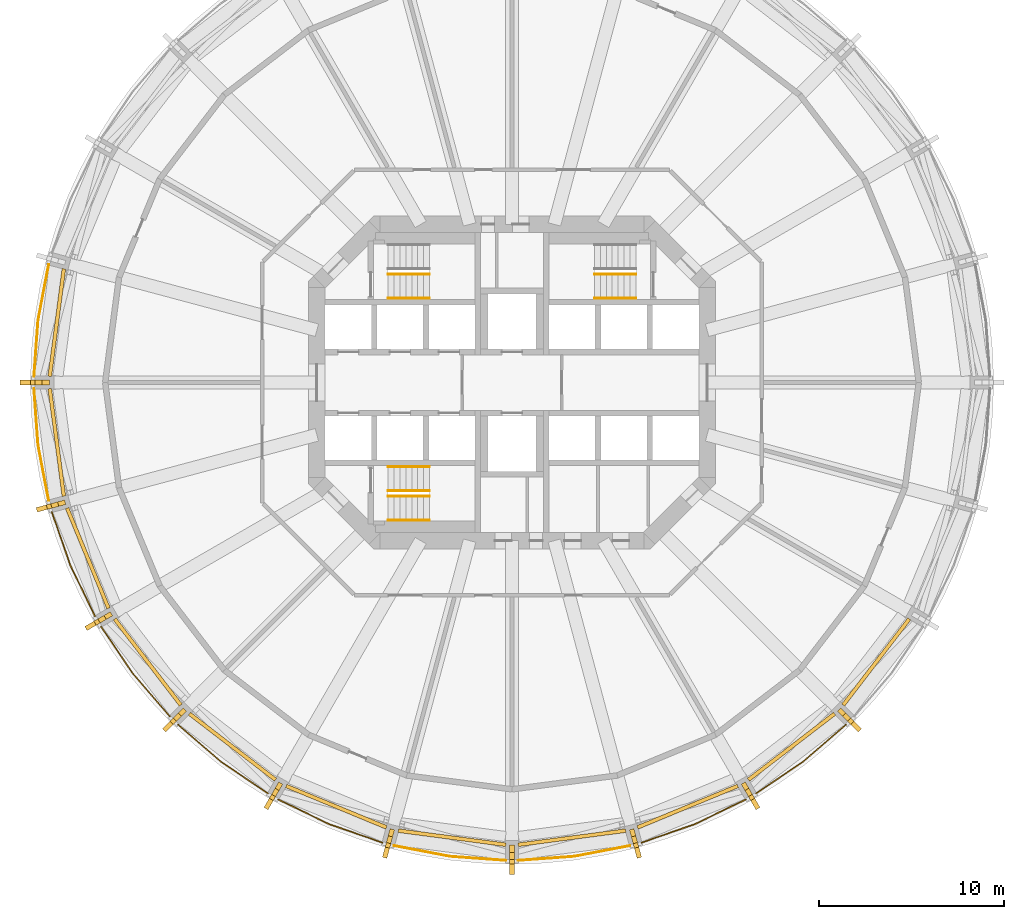
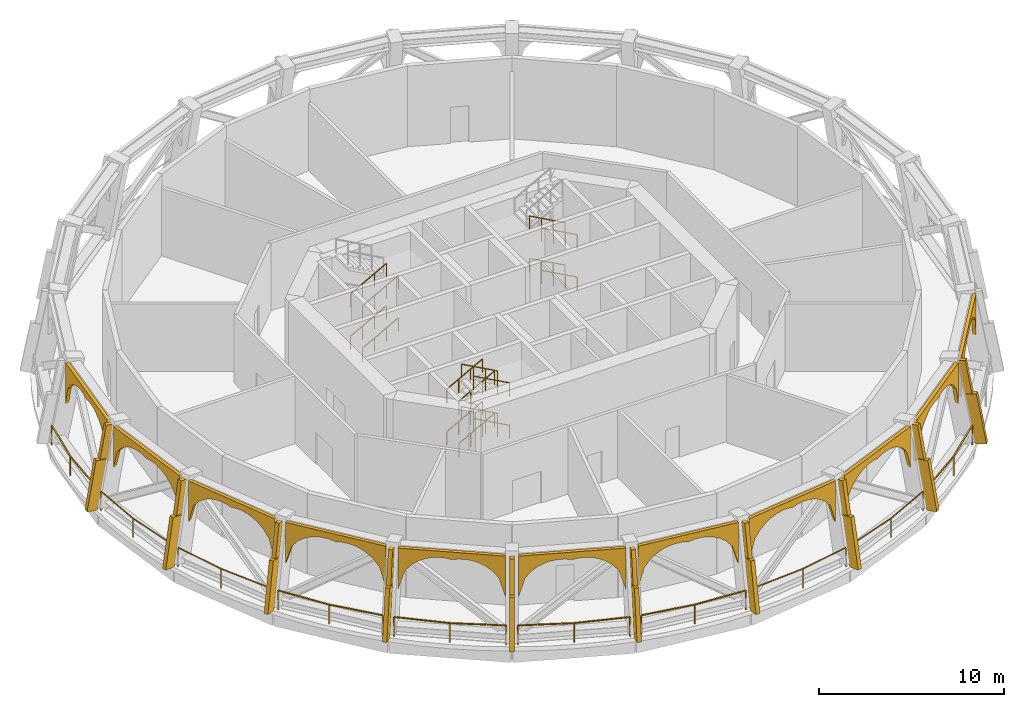
# One storey, part 7 of 9: 31 coverings, 26 railings.
"""IFC4 building model written with IfcOpenShell, lengths in metres."""

from ifc_helpers import new_model, si_unit, direction, frame, origin, origin_2d, place, context, subcontext, project, spatial, polyline, rectangle, outline, extrude, material, layer, layer_set, material_profile, profile_set, type_object, element, save


model = new_model("IFC4")

# Units and contexts
model_context = context("Model", 3, precision=1e-05, world=origin(), true_north=direction((0.0, 1.0)))
body_context = subcontext(model_context, "Body", "Model", "MODEL_VIEW")
ifc_project = project(units=[si_unit("LENGTHUNIT", "METRE"), si_unit("AREAUNIT", "SQUARE_METRE"), si_unit("VOLUMEUNIT", "CUBIC_METRE"), si_unit("PLANEANGLEUNIT", "RADIAN"), si_unit("MASSUNIT", "GRAM", prefix="KILO")], contexts=[model_context])

# Site, building, storey
site_placement = place(None, origin())
site = spatial("IfcSite", under=ifc_project, at=site_placement, CompositionType="ELEMENT")
building_placement = place(site_placement, origin())
building = spatial("IfcBuilding", under=site, at=building_placement, Name="Torre Triforio", CompositionType="ELEMENT")
storey_placement = place(building_placement, frame((0.0, 0.0, 110.60009765625)))
storey = spatial("IfcBuildingStorey", under=building, at=storey_placement, Name="L24", CompositionType="ELEMENT", Elevation=110.60009765625)

# Railings
ifc_material_1 = material(Name="Stainless steel AISI 316", Category="steel")
railing_type_1 = type_object("IfcRailingType", Name="HANDRAIL 920", PredefinedType="HANDRAIL", material=ifc_material_1)
for number, where, name in (
    (1, (-6.699951171875, 4.550048828125, 0.1748046875), "Handrail ST1"),
    (2, (-6.699951171875, 5.85009765625, 0.1748046875), "Handrail ST1"),
    (3, (-6.699951171875, 4.550048828125, 2.974853515625), "Handrail ST1"),
    (4, (-6.699951171875, 5.85009765625, 2.974853515625), "Handrail ST1"),
):
    element("IfcRailing", number, at=place(storey_placement, frame(where)), inside=storey, type_object=railing_type_1, Name=name, PredefinedType="HANDRAIL", context=body_context, shape_type="SweptSolid", body=[
        extrude(rectangle(XDim=0.048095703125, YDim=0.048095703125, at=origin_2d()), frame((0.0, 0.0, 0.89599609375), z_axis=(0.877354156276, 0.0, 0.479843395771), x_axis=(0.0, 1.0, 0.0)), (0.0, 0.0, 1.0), 2.55322265625),
        extrude(rectangle(XDim=0.0419921875, YDim=0.0419921875, at=origin_2d()), origin(), (0.0, 0.0, 1.0), 0.871826171875),
        extrude(rectangle(XDim=0.0419921875, YDim=0.0419921875, at=origin_2d()), frame((0.74658203125, 0.0, 0.408447265625)), (0.0, 0.0, 1.0), 0.871826171875),
        extrude(rectangle(XDim=0.0419921875, YDim=0.0419921875, at=origin_2d()), frame((1.493408203125, 0.0, 0.816650390625)), (0.0, 0.0, 1.0), 0.871826171875),
        extrude(rectangle(XDim=0.0419921875, YDim=0.0419921875, at=origin_2d()), frame((2.239990234375, 0.0, 1.22509765625)), (0.0, 0.0, 1.0), 0.871826171875),
    ])
for number, where, name in (
    (5, (6.699951171875, 4.550048828125, 0.1748046875), "Handrail ST2"),
    (6, (6.699951171875, 5.85009765625, 0.1748046875), "Handrail ST2"),
    (7, (6.699951171875, 4.550048828125, 2.974853515625), "Handrail ST2"),
    (8, (6.699951171875, 5.85009765625, 2.974853515625), "Handrail ST2"),
):
    element("IfcRailing", number, at=place(storey_placement, frame(where)), inside=storey, type_object=railing_type_1, Name=name, PredefinedType="HANDRAIL", context=body_context, shape_type="SweptSolid", body=[
        extrude(rectangle(XDim=0.048095703125, YDim=0.048095703125, at=origin_2d()), frame((0.0, 0.0, 0.89599609375), z_axis=(-0.877354156276, 0.0, 0.479843395771), x_axis=(0.0, -1.0, 0.0)), (0.0, 0.0, 1.0), 2.55322265625),
        extrude(rectangle(XDim=0.0419921875, YDim=0.0419921875, at=origin_2d()), origin(), (0.0, 0.0, 1.0), 0.871826171875),
        extrude(rectangle(XDim=0.0419921875, YDim=0.0419921875, at=origin_2d()), frame((-0.74658203125, 0.0, 0.408447265625)), (0.0, 0.0, 1.0), 0.871826171875),
        extrude(rectangle(XDim=0.0419921875, YDim=0.0419921875, at=origin_2d()), frame((-1.493408203125, 0.0, 0.816650390625)), (0.0, 0.0, 1.0), 0.871826171875),
        extrude(rectangle(XDim=0.0419921875, YDim=0.0419921875, at=origin_2d()), frame((-2.239990234375, 0.0, 1.22509765625)), (0.0, 0.0, 1.0), 0.871826171875),
    ])
for number, where, name in (
    (9, (-6.699951171875, -4.550048828125, 0.1748046875), "Handrail ST3"),
    (10, (-6.699951171875, -5.85009765625, 0.1748046875), "Handrail ST3"),
):
    element("IfcRailing", number, at=place(storey_placement, frame(where)), inside=storey, type_object=railing_type_1, Name=name, PredefinedType="HANDRAIL", context=body_context, shape_type="SweptSolid", body=[
        extrude(rectangle(XDim=0.048095703125, YDim=0.048095703125, at=origin_2d()), frame((0.0, 0.0, 0.89599609375), z_axis=(0.877354156276, 0.0, 0.479843395771), x_axis=(0.0, 1.0, 0.0)), (0.0, 0.0, 1.0), 2.55322265625),
        extrude(rectangle(XDim=0.0419921875, YDim=0.0419921875, at=origin_2d()), origin(), (0.0, 0.0, 1.0), 0.871826171875),
        extrude(rectangle(XDim=0.0419921875, YDim=0.0419921875, at=origin_2d()), frame((0.74658203125, 0.0, 0.408447265625)), (0.0, 0.0, 1.0), 0.871826171875),
        extrude(rectangle(XDim=0.0419921875, YDim=0.0419921875, at=origin_2d()), frame((1.493408203125, 0.0, 0.816650390625)), (0.0, 0.0, 1.0), 0.871826171875),
        extrude(rectangle(XDim=0.0419921875, YDim=0.0419921875, at=origin_2d()), frame((2.239990234375, 0.0, 1.22509765625)), (0.0, 0.0, 1.0), 0.871826171875),
    ])
for number, where, name in (
    (11, (-4.4599609375, -7.449951171875, 1.574951171875), "Handrail ST3"),
    (12, (-4.4599609375, -6.14990234375, 1.574951171875), "Handrail ST3"),
):
    element("IfcRailing", number, at=place(storey_placement, frame(where)), inside=storey, type_object=railing_type_1, Name=name, PredefinedType="HANDRAIL", context=body_context, shape_type="SweptSolid", body=[
        extrude(rectangle(XDim=0.048095703125, YDim=0.048095703125, at=origin_2d()), frame((0.0, 0.0, 0.89599609375), z_axis=(-0.877394412213, 0.0, 0.479769783768), x_axis=(0.0, -1.0, 0.0)), (0.0, 0.0, 1.0), 2.552978515625),
        extrude(rectangle(XDim=0.0419921875, YDim=0.0419921875, at=origin_2d()), origin(), (0.0, 0.0, 1.0), 0.871826171875),
        extrude(rectangle(XDim=0.0419921875, YDim=0.0419921875, at=origin_2d()), frame((-0.74658203125, 0.0, 0.408203125)), (0.0, 0.0, 1.0), 0.871826171875),
        extrude(rectangle(XDim=0.0419921875, YDim=0.0419921875, at=origin_2d()), frame((-1.493408203125, 0.0, 0.816650390625)), (0.0, 0.0, 1.0), 0.871826171875),
        extrude(rectangle(XDim=0.0419921875, YDim=0.0419921875, at=origin_2d()), frame((-2.239990234375, 0.0, 1.224853515625)), (0.0, 0.0, 1.0), 0.871826171875),
    ])
for number, where, name in (
    (13, (-6.699951171875, -4.550048828125, 2.974853515625), "Handrail ST3"),
    (14, (-6.699951171875, -5.85009765625, 2.974853515625), "Handrail ST3"),
):
    element("IfcRailing", number, at=place(storey_placement, frame(where)), inside=storey, type_object=railing_type_1, Name=name, PredefinedType="HANDRAIL", context=body_context, shape_type="SweptSolid", body=[
        extrude(rectangle(XDim=0.048095703125, YDim=0.048095703125, at=origin_2d()), frame((0.0, 0.0, 0.89599609375), z_axis=(0.877354156276, 0.0, 0.479843395771), x_axis=(0.0, 1.0, 0.0)), (0.0, 0.0, 1.0), 2.55322265625),
        extrude(rectangle(XDim=0.0419921875, YDim=0.0419921875, at=origin_2d()), origin(), (0.0, 0.0, 1.0), 0.871826171875),
        extrude(rectangle(XDim=0.0419921875, YDim=0.0419921875, at=origin_2d()), frame((0.74658203125, 0.0, 0.408447265625)), (0.0, 0.0, 1.0), 0.871826171875),
        extrude(rectangle(XDim=0.0419921875, YDim=0.0419921875, at=origin_2d()), frame((1.493408203125, 0.0, 0.816650390625)), (0.0, 0.0, 1.0), 0.871826171875),
        extrude(rectangle(XDim=0.0419921875, YDim=0.0419921875, at=origin_2d()), frame((2.239990234375, 0.0, 1.22509765625)), (0.0, 0.0, 1.0), 0.871826171875),
    ])
for number, where, name in (
    (15, (-4.4599609375, -7.449951171875, 4.375), "Handrail ST3"),
    (16, (-4.4599609375, -6.14990234375, 4.375), "Handrail ST3"),
):
    element("IfcRailing", number, at=place(storey_placement, frame(where)), inside=storey, type_object=railing_type_1, Name=name, PredefinedType="HANDRAIL", context=body_context, shape_type="SweptSolid", body=[
        extrude(rectangle(XDim=0.048095703125, YDim=0.048095703125, at=origin_2d()), frame((0.0, 0.0, 0.89599609375), z_axis=(-0.877394412213, 0.0, 0.479769783768), x_axis=(0.0, -1.0, 0.0)), (0.0, 0.0, 1.0), 2.552978515625),
        extrude(rectangle(XDim=0.0419921875, YDim=0.0419921875, at=origin_2d()), origin(), (0.0, 0.0, 1.0), 0.871826171875),
        extrude(rectangle(XDim=0.0419921875, YDim=0.0419921875, at=origin_2d()), frame((-0.74658203125, 0.0, 0.408203125)), (0.0, 0.0, 1.0), 0.871826171875),
        extrude(rectangle(XDim=0.0419921875, YDim=0.0419921875, at=origin_2d()), frame((-1.493408203125, 0.0, 0.816650390625)), (0.0, 0.0, 1.0), 0.871826171875),
        extrude(rectangle(XDim=0.0419921875, YDim=0.0419921875, at=origin_2d()), frame((-2.239990234375, 0.0, 1.224853515625)), (0.0, 0.0, 1.0), 0.871826171875),
    ])

# Coverings
ifc_material_2 = material(Name="Limestone arch panel", Category="masonry")
ifc_layer = layer(ifc_material_2, 0.199951171875)
ifc_layer_set = layer_set([ifc_layer], Name="Limestone arch panel")
covering_type_1 = type_object("IfcCoveringType", Name="Lancet arch cladding panel 200", PredefinedType="CLADDING", material=ifc_layer_set)
for number, where, z_axis, x_axis, name in (
    (17, (-24.51708984375, 3.227783203125, 0.0), (-0.991450144272, 0.130486058348, 0.0), (-0.130486058348, -0.991450144272, 0.0), "Lancet arch panel L24 bay 12"),
    (18, (-24.51708984375, -3.227783203125, 0.0), (-0.991450144272, -0.130486058348, 0.0), (0.130486058348, -0.991450144272, 0.0), "Lancet arch panel L24 bay 13"),
):
    element("IfcCovering", number, at=place(storey_placement, frame(where, z_axis=z_axis, x_axis=x_axis)), inside=storey, type_object=covering_type_1, Name=name, PredefinedType="CLADDING", context=body_context, shape_type="SweptSolid", body=[
        extrude(outline(polyline([(-2.932861328125, 5.320068359375), (-2.932861328125, 2.60009765625), (-2.566162109375, 3.84765625), (-2.19970703125, 4.28662109375), (-1.8330078125, 4.565673828125), (-1.46630859375, 4.748291015625), (-1.099853515625, 4.857421875), (-0.733154296875, 4.904052734375), (-0.36669921875, 4.89208984375), (0.0, 4.820068359375), (0.36669921875, 4.89208984375), (0.733154296875, 4.904052734375), (1.099853515625, 4.857421875), (1.46630859375, 4.748291015625), (1.8330078125, 4.565673828125), (2.19970703125, 4.28662109375), (2.566162109375, 3.84765625), (2.932861328125, 2.60009765625), (2.932861328125, 5.320068359375), (-2.932861328125, 5.320068359375)])), origin(), (0.0, 0.0, 1.0), 0.2001953125),
    ])
for number, where, z_axis, x_axis, name in (
    (19, (-22.846435546875, -9.46337890625, 0.0), (-0.924120904221, -0.382100188932, 0.0), (0.382100188932, -0.924120904221, 0.0), "Lancet arch panel L24 bay 14"),
    (20, (-19.61865234375, -15.053955078125, 0.0), (-0.793213368033, -0.608943800998, 0.0), (0.608943800998, -0.793213368033, 0.0), "Lancet arch panel L24 bay 15"),
    (21, (-15.053955078125, -19.61865234375, 0.0), (-0.608943800998, -0.793213368033, 0.0), (0.793213368033, -0.608943800998, 0.0), "Lancet arch panel L24 bay 16"),
    (22, (-9.46337890625, -22.846435546875, 0.0), (-0.382100188932, -0.924120904221, 0.0), (0.924120904221, -0.382100188932, 0.0), "Lancet arch panel L24 bay 17"),
):
    element("IfcCovering", number, at=place(storey_placement, frame(where, z_axis=z_axis, x_axis=x_axis)), inside=storey, type_object=covering_type_1, Name=name, PredefinedType="CLADDING", context=body_context, shape_type="SweptSolid", body=[
        extrude(outline(polyline([(-2.932861328125, 5.320068359375), (-2.932861328125, 2.60009765625), (-2.566162109375, 3.84765625), (-2.19970703125, 4.28662109375), (-1.8330078125, 4.565673828125), (-1.46630859375, 4.748291015625), (-1.099853515625, 4.857421875), (-0.733154296875, 4.904052734375), (-0.36669921875, 4.89208984375), (0.0, 4.820068359375), (0.36669921875, 4.89208984375), (0.733154296875, 4.904052734375), (1.099853515625, 4.857421875), (1.46630859375, 4.748291015625), (1.8330078125, 4.565673828125), (2.19970703125, 4.28662109375), (2.566162109375, 3.84765625), (2.932861328125, 2.60009765625), (2.932861328125, 5.320068359375), (-2.932861328125, 5.320068359375)])), origin(), (0.0, 0.0, 1.0), 0.199951171875),
    ])
for number, where, z_axis, x_axis, name in (
    (23, (-3.227783203125, -24.51708984375, 0.0), (-0.130486058348, -0.991450144272, 0.0), (0.991450144272, -0.130486058348, 0.0), "Lancet arch panel L24 bay 18"),
    (24, (3.227783203125, -24.51708984375, 0.0), (0.130486058348, -0.991450144272, 0.0), (0.991450144272, 0.130486058348, 0.0), "Lancet arch panel L24 bay 19"),
):
    element("IfcCovering", number, at=place(storey_placement, frame(where, z_axis=z_axis, x_axis=x_axis)), inside=storey, type_object=covering_type_1, Name=name, PredefinedType="CLADDING", context=body_context, shape_type="SweptSolid", body=[
        extrude(outline(polyline([(-2.932861328125, 5.320068359375), (-2.932861328125, 2.60009765625), (-2.566162109375, 3.84765625), (-2.19970703125, 4.28662109375), (-1.8330078125, 4.565673828125), (-1.46630859375, 4.748291015625), (-1.099853515625, 4.857421875), (-0.733154296875, 4.904052734375), (-0.36669921875, 4.89208984375), (0.0, 4.820068359375), (0.36669921875, 4.89208984375), (0.733154296875, 4.904052734375), (1.099853515625, 4.857421875), (1.46630859375, 4.748291015625), (1.8330078125, 4.565673828125), (2.19970703125, 4.28662109375), (2.566162109375, 3.84765625), (2.932861328125, 2.60009765625), (2.932861328125, 5.320068359375), (-2.932861328125, 5.320068359375)])), origin(), (0.0, 0.0, 1.0), 0.2001953125),
    ])
for number, where, z_axis, x_axis, name in (
    (25, (9.46337890625, -22.846435546875, 0.0), (0.382100188932, -0.924120904221, 0.0), (0.924120904221, 0.382100188932, 0.0), "Lancet arch panel L24 bay 20"),
    (26, (15.053955078125, -19.61865234375, 0.0), (0.608943800998, -0.793213368033, 0.0), (0.793213368033, 0.608943800998, 0.0), "Lancet arch panel L24 bay 21"),
    (27, (19.61865234375, -15.053955078125, 0.0), (0.793213368033, -0.608943800998, 0.0), (0.608943800998, 0.793213368033, 0.0), "Lancet arch panel L24 bay 22"),
):
    element("IfcCovering", number, at=place(storey_placement, frame(where, z_axis=z_axis, x_axis=x_axis)), inside=storey, type_object=covering_type_1, Name=name, PredefinedType="CLADDING", context=body_context, shape_type="SweptSolid", body=[
        extrude(outline(polyline([(-2.932861328125, 5.320068359375), (-2.932861328125, 2.60009765625), (-2.566162109375, 3.84765625), (-2.19970703125, 4.28662109375), (-1.8330078125, 4.565673828125), (-1.46630859375, 4.748291015625), (-1.099853515625, 4.857421875), (-0.733154296875, 4.904052734375), (-0.36669921875, 4.89208984375), (0.0, 4.820068359375), (0.36669921875, 4.89208984375), (0.733154296875, 4.904052734375), (1.099853515625, 4.857421875), (1.46630859375, 4.748291015625), (1.8330078125, 4.565673828125), (2.19970703125, 4.28662109375), (2.566162109375, 3.84765625), (2.932861328125, 2.60009765625), (2.932861328125, 5.320068359375), (-2.932861328125, 5.320068359375)])), origin(), (0.0, 0.0, 1.0), 0.199951171875),
    ])

# Railings
railing_type_2 = type_object("IfcRailingType", Name="Loggia guard 1300", PredefinedType="GUARDRAIL", material=ifc_material_1)
railing_1_placement = place(storey_placement, frame((-25.052001953125, 6.38134765625, 0.0)))
element("IfcRailing", 28, at=railing_1_placement, inside=storey, type_object=railing_type_2, Name="Loggia guard L24 bay 12", PredefinedType="GUARDRAIL", context=body_context, shape_type="SweptSolid", body=[
    extrude(rectangle(XDim=0.050048828125, YDim=0.050048828125, at=origin_2d()), frame((0.0, 0.0, 1.27490234375), z_axis=(-0.188397892972, -0.982092782747, 0.0), x_axis=(0.982092782747, -0.188397892972, 0.0)), (0.0, 0.0, 1.0), 3.062255859375),
    extrude(rectangle(XDim=0.050048828125, YDim=0.050048828125, at=origin_2d()), frame((-0.576904296875, -3.00732421875, 1.27490234375), z_axis=(-0.072238625319, -0.997387377608, 0.0), x_axis=(0.997387377608, -0.072238625319, 0.0)), (0.0, 0.0, 1.0), 3.06201171875),
    extrude(rectangle(XDim=0.0400390625, YDim=0.0400390625, at=origin_2d()), origin(), (0.0, 0.0, 1.0), 1.25),
    extrude(rectangle(XDim=0.0400390625, YDim=0.0400390625, at=origin_2d()), frame((-0.576904296875, -3.00732421875, 0.0)), (0.0, 0.0, 1.0), 1.25),
    extrude(rectangle(XDim=0.0400390625, YDim=0.0400390625, at=origin_2d()), frame((-0.798095703125, -6.061279296875, 0.0)), (0.0, 0.0, 1.0), 1.25),
])
railing_2_placement = place(storey_placement, frame((-25.85009765625, -0.320068359375, 0.0)))
element("IfcRailing", 29, at=railing_2_placement, inside=storey, type_object=railing_type_2, Name="Loggia guard L24 bay 13", PredefinedType="GUARDRAIL", context=body_context, shape_type="SweptSolid", body=[
    extrude(rectangle(XDim=0.050048828125, YDim=0.050048828125, at=origin_2d()), frame((0.0, 0.0, 1.27490234375), z_axis=(0.072238625319, -0.997387377608, 0.0), x_axis=(0.997387377608, 0.072238625319, 0.0)), (0.0, 0.0, 1.0), 3.06201171875),
    extrude(rectangle(XDim=0.050048828125, YDim=0.050048828125, at=origin_2d()), frame((0.22119140625, -3.053955078125, 1.27490234375), z_axis=(0.188397892972, -0.982092782747, 0.0), x_axis=(0.982092782747, 0.188397892972, 0.0)), (0.0, 0.0, 1.0), 3.062255859375),
    extrude(rectangle(XDim=0.0400390625, YDim=0.0400390625, at=origin_2d()), origin(), (0.0, 0.0, 1.0), 1.25),
    extrude(rectangle(XDim=0.0400390625, YDim=0.0400390625, at=origin_2d()), frame((0.22119140625, -3.053955078125, 0.0)), (0.0, 0.0, 1.0), 1.25),
    extrude(rectangle(XDim=0.0400390625, YDim=0.0400390625, at=origin_2d()), frame((0.798095703125, -6.061279296875, 0.0)), (0.0, 0.0, 1.0), 1.25),
])
railing_3_placement = place(storey_placement, frame((-24.886474609375, -6.99951171875, 0.0)))
element("IfcRailing", 30, at=railing_3_placement, inside=storey, type_object=railing_type_2, Name="Loggia guard L24 bay 14", PredefinedType="GUARDRAIL", context=body_context, shape_type="SweptSolid", body=[
    extrude(rectangle(XDim=0.050048828125, YDim=0.050048828125, at=origin_2d()), frame((0.0, 0.0, 1.27490234375), z_axis=(0.327923737665, -0.944704198295, 0.0), x_axis=(0.944704198295, 0.327923737665, 0.0)), (0.0, 0.0, 1.0), 3.062255859375),
    extrude(rectangle(XDim=0.050048828125, YDim=0.050048828125, at=origin_2d()), frame((1.004150390625, -2.892822265625, 1.27490234375), z_axis=(0.436113094806, -0.899891864914, 0.0), x_axis=(0.899891864914, 0.436113094806, 0.0)), (0.0, 0.0, 1.0), 3.062255859375),
    extrude(rectangle(XDim=0.0400390625, YDim=0.0400390625, at=origin_2d()), origin(), (0.0, 0.0, 1.0), 1.25),
    extrude(rectangle(XDim=0.0400390625, YDim=0.0400390625, at=origin_2d()), frame((1.004150390625, -2.892822265625, 0.0)), (0.0, 0.0, 1.0), 1.25),
    extrude(rectangle(XDim=0.0400390625, YDim=0.0400390625, at=origin_2d()), frame((2.339599609375, -5.6484375, 0.0)), (0.0, 0.0, 1.0), 1.25),
])
railing_4_placement = place(storey_placement, frame((-22.226806640625, -13.2021484375, 0.0)))
element("IfcRailing", 31, at=railing_4_placement, inside=storey, type_object=railing_type_2, Name="Loggia guard L24 bay 15", PredefinedType="GUARDRAIL", context=body_context, shape_type="SweptSolid", body=[
    extrude(rectangle(XDim=0.050048828125, YDim=0.050048828125, at=origin_2d()), frame((0.0, 0.0, 1.27490234375), z_axis=(0.561214776852, -0.827670208624, 0.0), x_axis=(0.827670208624, 0.561214776852, 0.0)), (0.0, 0.0, 1.0), 3.06201171875),
    extrude(rectangle(XDim=0.050048828125, YDim=0.050048828125, at=origin_2d()), frame((1.718505859375, -2.534423828125, 1.27490234375), z_axis=(0.654238218872, -0.75628853817, 0.0), x_axis=(0.75628853817, 0.654238218872, 0.0)), (0.0, 0.0, 1.0), 3.062255859375),
    extrude(rectangle(XDim=0.0400390625, YDim=0.0400390625, at=origin_2d()), origin(), (0.0, 0.0, 1.0), 1.25),
    extrude(rectangle(XDim=0.0400390625, YDim=0.0400390625, at=origin_2d()), frame((1.718505859375, -2.534423828125, 0.0)), (0.0, 0.0, 1.0), 1.25),
    extrude(rectangle(XDim=0.0400390625, YDim=0.0400390625, at=origin_2d()), frame((3.721923828125, -4.850341796875, 0.0)), (0.0, 0.0, 1.0), 1.25),
])
railing_5_placement = place(storey_placement, frame((-18.052490234375, -18.5048828125, 0.0)))
element("IfcRailing", 32, at=railing_5_placement, inside=storey, type_object=railing_type_2, Name="Loggia guard L24 bay 16", PredefinedType="GUARDRAIL", context=body_context, shape_type="SweptSolid", body=[
    extrude(rectangle(XDim=0.050048828125, YDim=0.050048828125, at=origin_2d()), frame((0.0, 0.0, 1.27490234375), z_axis=(0.75628853817, -0.654238218872, 0.0), x_axis=(0.654238218872, 0.75628853817, 0.0)), (0.0, 0.0, 1.0), 3.062255859375),
    extrude(rectangle(XDim=0.050048828125, YDim=0.050048828125, at=origin_2d()), frame((2.31591796875, -2.00341796875, 1.27490234375), z_axis=(0.827670208624, -0.561214776852, 0.0), x_axis=(0.561214776852, 0.827670208624, 0.0)), (0.0, 0.0, 1.0), 3.06201171875),
    extrude(rectangle(XDim=0.0400390625, YDim=0.0400390625, at=origin_2d()), origin(), (0.0, 0.0, 1.0), 1.25),
    extrude(rectangle(XDim=0.0400390625, YDim=0.0400390625, at=origin_2d()), frame((2.31591796875, -2.00341796875, 0.0)), (0.0, 0.0, 1.0), 1.25),
    extrude(rectangle(XDim=0.0400390625, YDim=0.0400390625, at=origin_2d()), frame((4.850341796875, -3.721923828125, 0.0)), (0.0, 0.0, 1.0), 1.25),
])
railing_6_placement = place(storey_placement, frame((-12.64794921875, -22.546875, 0.0)))
element("IfcRailing", 33, at=railing_6_placement, inside=storey, type_object=railing_type_2, Name="Loggia guard L24 bay 17", PredefinedType="GUARDRAIL", context=body_context, shape_type="SweptSolid", body=[
    extrude(rectangle(XDim=0.050048828125, YDim=0.050048828125, at=origin_2d()), frame((0.0, 0.0, 1.27490234375), z_axis=(0.899891864914, -0.436113094806, 0.0), x_axis=(0.436113094806, 0.899891864914, 0.0)), (0.0, 0.0, 1.0), 3.062255859375),
    extrude(rectangle(XDim=0.050048828125, YDim=0.050048828125, at=origin_2d()), frame((2.755615234375, -1.33544921875, 1.27490234375), z_axis=(0.944704198295, -0.327923737665, 0.0), x_axis=(0.327923737665, 0.944704198295, 0.0)), (0.0, 0.0, 1.0), 3.062255859375),
    extrude(rectangle(XDim=0.0400390625, YDim=0.0400390625, at=origin_2d()), origin(), (0.0, 0.0, 1.0), 1.25),
    extrude(rectangle(XDim=0.0400390625, YDim=0.0400390625, at=origin_2d()), frame((2.755615234375, -1.33544921875, 0.0)), (0.0, 0.0, 1.0), 1.25),
    extrude(rectangle(XDim=0.0400390625, YDim=0.0400390625, at=origin_2d()), frame((5.6484375, -2.339599609375, 0.0)), (0.0, 0.0, 1.0), 1.25),
])
railing_7_placement = place(storey_placement, frame((-6.38134765625, -25.052001953125, 0.0)))
element("IfcRailing", 34, at=railing_7_placement, inside=storey, type_object=railing_type_2, Name="Loggia guard L24 bay 18", PredefinedType="GUARDRAIL", context=body_context, shape_type="SweptSolid", body=[
    extrude(rectangle(XDim=0.050048828125, YDim=0.050048828125, at=origin_2d()), frame((0.0, 0.0, 1.27490234375), z_axis=(0.982092782747, -0.188397892972, 0.0), x_axis=(0.188397892972, 0.982092782747, 0.0)), (0.0, 0.0, 1.0), 3.062255859375),
    extrude(rectangle(XDim=0.050048828125, YDim=0.050048828125, at=origin_2d()), frame((3.00732421875, -0.576904296875, 1.27490234375), z_axis=(0.997387377608, -0.072238625319, 0.0), x_axis=(0.072238625319, 0.997387377608, 0.0)), (0.0, 0.0, 1.0), 3.06201171875),
    extrude(rectangle(XDim=0.0400390625, YDim=0.0400390625, at=origin_2d()), origin(), (0.0, 0.0, 1.0), 1.25),
    extrude(rectangle(XDim=0.0400390625, YDim=0.0400390625, at=origin_2d()), frame((3.00732421875, -0.576904296875, 0.0)), (0.0, 0.0, 1.0), 1.25),
    extrude(rectangle(XDim=0.0400390625, YDim=0.0400390625, at=origin_2d()), frame((6.061279296875, -0.798095703125, 0.0)), (0.0, 0.0, 1.0), 1.25),
])
railing_8_placement = place(storey_placement, frame((0.320068359375, -25.85009765625, 0.0)))
element("IfcRailing", 35, at=railing_8_placement, inside=storey, type_object=railing_type_2, Name="Loggia guard L24 bay 19", PredefinedType="GUARDRAIL", context=body_context, shape_type="SweptSolid", body=[
    extrude(rectangle(XDim=0.050048828125, YDim=0.050048828125, at=origin_2d()), frame((0.0, 0.0, 1.27490234375), z_axis=(0.997387377608, 0.072238625319, 0.0), x_axis=(-0.072238625319, 0.997387377608, 0.0)), (0.0, 0.0, 1.0), 3.06201171875),
    extrude(rectangle(XDim=0.050048828125, YDim=0.050048828125, at=origin_2d()), frame((3.053955078125, 0.22119140625, 1.27490234375), z_axis=(0.982092782747, 0.188397892972, 0.0), x_axis=(-0.188397892972, 0.982092782747, 0.0)), (0.0, 0.0, 1.0), 3.062255859375),
    extrude(rectangle(XDim=0.0400390625, YDim=0.0400390625, at=origin_2d()), origin(), (0.0, 0.0, 1.0), 1.25),
    extrude(rectangle(XDim=0.0400390625, YDim=0.0400390625, at=origin_2d()), frame((3.053955078125, 0.22119140625, 0.0)), (0.0, 0.0, 1.0), 1.25),
    extrude(rectangle(XDim=0.0400390625, YDim=0.0400390625, at=origin_2d()), frame((6.061279296875, 0.798095703125, 0.0)), (0.0, 0.0, 1.0), 1.25),
])
railing_9_placement = place(storey_placement, frame((6.99951171875, -24.886474609375, 0.0)))
element("IfcRailing", 36, at=railing_9_placement, inside=storey, type_object=railing_type_2, Name="Loggia guard L24 bay 20", PredefinedType="GUARDRAIL", context=body_context, shape_type="SweptSolid", body=[
    extrude(rectangle(XDim=0.050048828125, YDim=0.050048828125, at=origin_2d()), frame((0.0, 0.0, 1.27490234375), z_axis=(0.944704198295, 0.327923737665, 0.0), x_axis=(-0.327923737665, 0.944704198295, 0.0)), (0.0, 0.0, 1.0), 3.062255859375),
    extrude(rectangle(XDim=0.050048828125, YDim=0.050048828125, at=origin_2d()), frame((2.892822265625, 1.004150390625, 1.27490234375), z_axis=(0.899891864914, 0.436113094806, 0.0), x_axis=(-0.436113094806, 0.899891864914, 0.0)), (0.0, 0.0, 1.0), 3.062255859375),
    extrude(rectangle(XDim=0.0400390625, YDim=0.0400390625, at=origin_2d()), origin(), (0.0, 0.0, 1.0), 1.25),
    extrude(rectangle(XDim=0.0400390625, YDim=0.0400390625, at=origin_2d()), frame((2.892822265625, 1.004150390625, 0.0)), (0.0, 0.0, 1.0), 1.25),
    extrude(rectangle(XDim=0.0400390625, YDim=0.0400390625, at=origin_2d()), frame((5.6484375, 2.339599609375, 0.0)), (0.0, 0.0, 1.0), 1.25),
])
railing_10_placement = place(storey_placement, frame((13.2021484375, -22.226806640625, 0.0)))
element("IfcRailing", 37, at=railing_10_placement, inside=storey, type_object=railing_type_2, Name="Loggia guard L24 bay 21", PredefinedType="GUARDRAIL", context=body_context, shape_type="SweptSolid", body=[
    extrude(rectangle(XDim=0.050048828125, YDim=0.050048828125, at=origin_2d()), frame((0.0, 0.0, 1.27490234375), z_axis=(0.827670208624, 0.561214776852, 0.0), x_axis=(-0.561214776852, 0.827670208624, 0.0)), (0.0, 0.0, 1.0), 3.06201171875),
    extrude(rectangle(XDim=0.050048828125, YDim=0.050048828125, at=origin_2d()), frame((2.534423828125, 1.718505859375, 1.27490234375), z_axis=(0.75628853817, 0.654238218872, 0.0), x_axis=(-0.654238218872, 0.75628853817, 0.0)), (0.0, 0.0, 1.0), 3.062255859375),
    extrude(rectangle(XDim=0.0400390625, YDim=0.0400390625, at=origin_2d()), origin(), (0.0, 0.0, 1.0), 1.25),
    extrude(rectangle(XDim=0.0400390625, YDim=0.0400390625, at=origin_2d()), frame((2.534423828125, 1.718505859375, 0.0)), (0.0, 0.0, 1.0), 1.25),
    extrude(rectangle(XDim=0.0400390625, YDim=0.0400390625, at=origin_2d()), frame((4.850341796875, 3.721923828125, 0.0)), (0.0, 0.0, 1.0), 1.25),
])

# Coverings
ifc_material_3 = material(Name="Limestone fin", Category="masonry")
ifc_material_profile_1 = material_profile(ifc_material_3, rectangle(XDim=0.39990234375, YDim=0.25, at=origin_2d()), Name="FIN 400x250")
ifc_profile_set_1 = profile_set([ifc_material_profile_1], Name="Limestone fin")
covering_type_2 = type_object("IfcCoveringType", Name="Stone fin 400 x 250", PredefinedType="CLADDING", material=ifc_profile_set_1)
for number, where, z_axis, x_axis, name in (
    (38, (-25.59033203125, 0.0, 3.19189453125), (0.175853182915, 0.0, 0.98441640481), (-0.98441640481, 0.0, 0.175853182915), "Stone fin C13 L24 upper"),
    (39, (-24.71826171875, -6.623291015625, 3.19189453125), (0.169757293841, 0.045517092095, 0.984434180387), (-0.950847308954, -0.254951074856, 0.175753647146), "Stone fin C14 L24 upper"),
    (40, (-22.161865234375, -12.795166015625, 3.19189453125), (0.152248266024, 0.087983233852, 0.98441831355), (-0.852330826531, -0.492556167557, 0.175842497555), "Stone fin C15 L24 upper"),
    (41, (-18.09521484375, -18.09521484375, 3.19189453125), (0.124350780636, 0.124350780636, 0.984415444165), (-0.696086836074, -0.696086836074, 0.175858560467), "Stone fin C16 L24 upper"),
    (42, (-12.795166015625, -22.161865234375, 3.19189453125), (0.087983233852, 0.152248266024, 0.98441831355), (-0.492556167557, -0.852330826531, 0.175842497555), "Stone fin C17 L24 upper"),
    (43, (-6.623291015625, -24.71826171875, 3.19189453125), (0.045517092095, 0.169757293841, 0.984434180387), (-0.254951074856, -0.950847308954, 0.175753647146), "Stone fin C18 L24 upper"),
    (44, (0.0, -25.59033203125, 3.19189453125), (0.0, 0.175853182915, 0.98441640481), (0.0, -0.98441640481, 0.175853182915), "Stone fin C19 L24 upper"),
    (45, (6.623291015625, -24.71826171875, 3.19189453125), (-0.045517092095, 0.169757293841, 0.984434180387), (0.254951074856, -0.950847308954, 0.175753647146), "Stone fin C20 L24 upper"),
    (46, (12.795166015625, -22.161865234375, 3.19189453125), (-0.087983233852, 0.152248266024, 0.98441831355), (0.492556167557, -0.852330826531, 0.175842497555), "Stone fin C21 L24 upper"),
    (47, (18.09521484375, -18.09521484375, 3.19189453125), (-0.124350780636, 0.124350780636, 0.984415444165), (0.696086836074, -0.696086836074, 0.175858560467), "Stone fin C22 L24 upper"),
):
    element("IfcCovering", number, at=place(storey_placement, frame(where, z_axis=z_axis, x_axis=x_axis)), inside=storey, type_object=covering_type_2, Name=name, PredefinedType="CLADDING", context=body_context, shape_type="SweptSolid", body=[
        extrude(rectangle(XDim=0.39990234375, YDim=0.25, at=origin_2d()), origin(), (0.0, 0.0, 1.0), 2.16162109375),
    ])
ifc_material_profile_2 = material_profile(ifc_material_3, rectangle(XDim=0.64990234375, YDim=0.25, at=origin_2d()), Name="FIN 650x250")
ifc_profile_set_2 = profile_set([ifc_material_profile_2], Name="Limestone fin")
covering_type_3 = type_object("IfcCoveringType", Name="Stone fin 650 x 250", PredefinedType="CLADDING", material=ifc_profile_set_2)
for number, where, z_axis, x_axis, name in (
    (48, (-26.287353515625, 0.0, 0.0), (0.175816698922, 0.0, 0.984422921503), (-0.984422921503, 0.0, 0.175816698922), "Stone fin C13 L24"),
    (49, (-25.3916015625, -6.8037109375, 0.0), (0.169793566015, 0.04555437137, 0.984426200479), (-0.950800994519, -0.255092949749, 0.175798338476), "Stone fin C14 L24"),
    (50, (-22.765380859375, -13.1435546875, 0.0), (0.152249777991, 0.087871162669, 0.984428089742), (-0.852613169287, -0.492086829158, 0.175787758752), "Stone fin C15 L24"),
    (51, (-18.587890625, -18.587890625, 0.0), (0.1243142966, 0.1243142966, 0.984424660054), (-0.696093352691, -0.696093352691, 0.175806964249), "Stone fin C16 L24"),
    (52, (-13.1435546875, -22.765380859375, 0.0), (0.087871162669, 0.152249777991, 0.984428089742), (-0.492086829158, -0.852613169287, 0.175787758752), "Stone fin C17 L24"),
    (53, (-6.8037109375, -25.3916015625, 0.0), (0.04555437137, 0.169793566015, 0.984426200479), (-0.255092949749, -0.950800994519, 0.175798338476), "Stone fin C18 L24"),
    (54, (0.0, -26.287353515625, 0.0), (0.0, 0.175816698922, 0.984422921503), (0.0, -0.984422921503, 0.175816698922), "Stone fin C19 L24"),
    (55, (6.8037109375, -25.3916015625, 0.0), (-0.04555437137, 0.169793566015, 0.984426200479), (0.255092949749, -0.950800994519, 0.175798338476), "Stone fin C20 L24"),
    (56, (13.1435546875, -22.765380859375, 0.0), (-0.087871162669, 0.152249777991, 0.984428089742), (0.492086829158, -0.852613169287, 0.175787758752), "Stone fin C21 L24"),
    (57, (18.587890625, -18.587890625, 0.0), (-0.1243142966, 0.1243142966, 0.984424660054), (0.696093352691, -0.696093352691, 0.175806964249), "Stone fin C22 L24"),
):
    element("IfcCovering", number, at=place(storey_placement, frame(where, z_axis=z_axis, x_axis=x_axis)), inside=storey, type_object=covering_type_3, Name=name, PredefinedType="CLADDING", context=body_context, shape_type="SweptSolid", body=[
        extrude(rectangle(XDim=0.64990234375, YDim=0.25, at=origin_2d()), origin(), (0.0, 0.0, 1.0), 3.242431640625),
    ])

save(model, "model.ifc")
